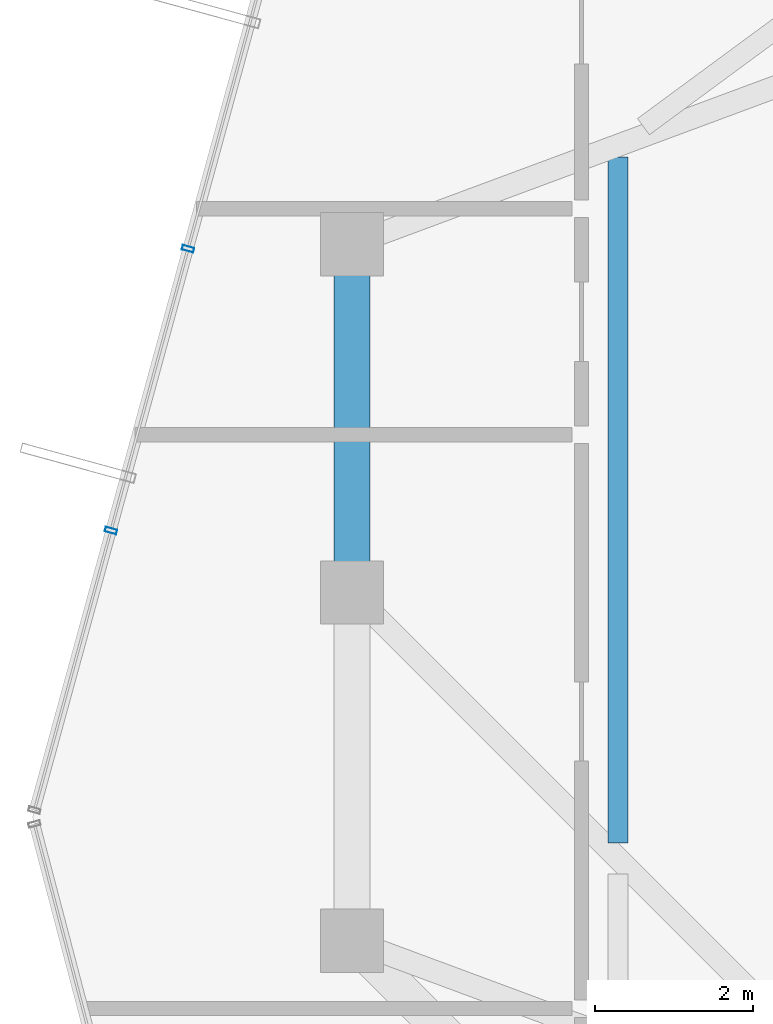
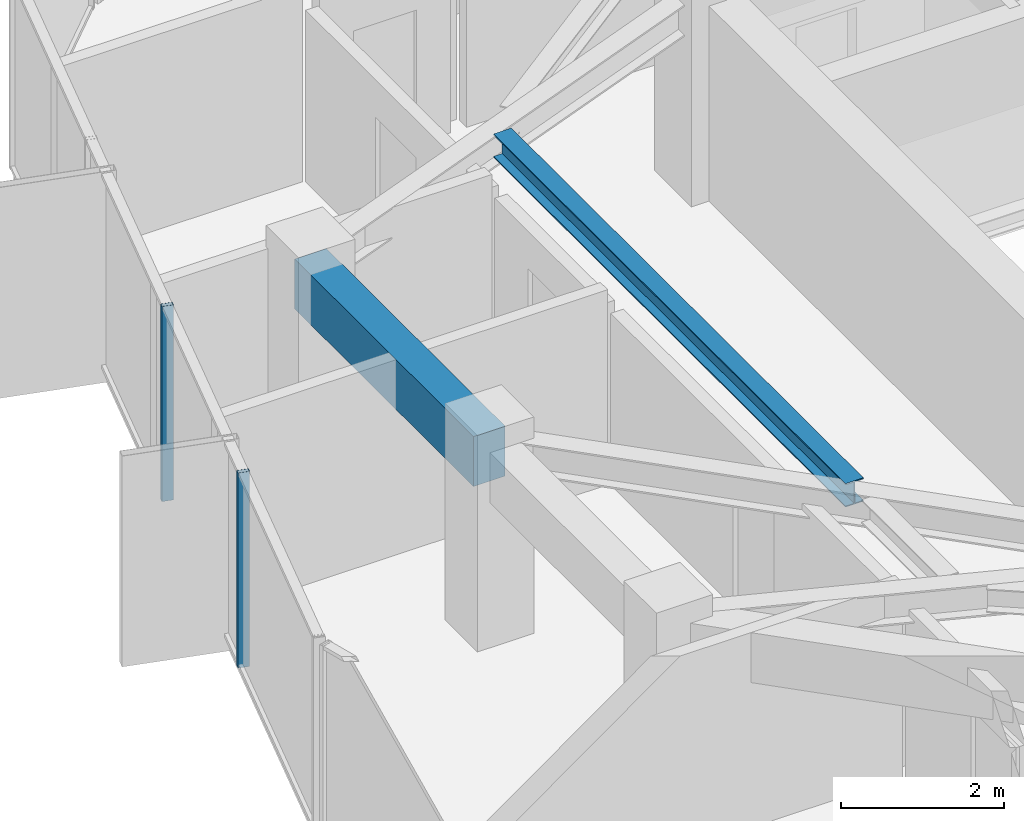
# One storey, part 12 of 29: 2 beams, 2 members, 1 element without a shape of its own.
"""IFC4 building model written with IfcOpenShell, lengths in metres."""

from ifc_helpers import new_model, si_unit, direction, frame, origin, origin_2d, place, context, subcontext, project, spatial, rectangle, hollow_rectangle, i_section, extrude, source, transform, mapped, material, layer, layer_set, material_profile, profile_set, type_object, element, aggregate, save


model = new_model("IFC4")

# Units and contexts
model_context = context("Model", 3, precision=1e-05, world=origin(), true_north=direction((0.0, 1.0)))
body_context = subcontext(model_context, "Body", "Model", "MODEL_VIEW")
ifc_project = project(units=[si_unit("LENGTHUNIT", "METRE"), si_unit("AREAUNIT", "SQUARE_METRE"), si_unit("VOLUMEUNIT", "CUBIC_METRE"), si_unit("PLANEANGLEUNIT", "RADIAN"), si_unit("MASSUNIT", "GRAM", prefix="KILO")], contexts=[model_context])

# Site, building, storey
site_placement = place(None, origin())
site = spatial("IfcSite", under=ifc_project, at=site_placement, CompositionType="ELEMENT")
building_placement = place(site_placement, origin())
building = spatial("IfcBuilding", under=site, at=building_placement, Name="Veraguas Prism Commons", CompositionType="ELEMENT")
storey_placement = place(building_placement, frame((0.0, 0.0, 261.0)))
storey = spatial("IfcBuildingStorey", under=building, at=storey_placement, Name="L74", CompositionType="ELEMENT", Elevation=261.0)

# Beams
ifc_material_1 = material(Name="Concrete C50/60", Category="concrete")
ifc_material_profile_1 = material_profile(ifc_material_1, rectangle(XDim=0.449951171875, YDim=0.75, at=origin_2d()), Name="RC450X750")
ifc_profile_set_1 = profile_set([ifc_material_profile_1], Name="Concrete C50/60")
beam_type_1 = type_object("IfcBeamType", Name="Perimeter Spandrel Upper RC 450x750", PredefinedType="SPANDREL", material=ifc_profile_set_1)
beam_1_placement = place(storey_placement, frame((10.199951171875, 28.39990234375, 2.554931640625), z_axis=(0.0, -1.0, 0.0), x_axis=(1.0, 0.0, 0.0)))
element("IfcBeam", 1, at=beam_1_placement, inside=storey, type_object=beam_type_1, Name="Perimeter Spandrel Beam L74-SP07", PredefinedType="SPANDREL", context=body_context, shape_type="SweptSolid", body=[
    extrude(rectangle(XDim=0.449951171875, YDim=0.75, at=origin_2d()), origin(), (0.0, 0.0, 1.0), 4.39990234375),
])
ifc_material_2 = material(Name="Steel ASTM A992 Grade 50", Category="steel")
ifc_material_profile_2 = material_profile(ifc_material_2, i_section(OverallWidth=0.25390625, OverallDepth=0.35302734375, WebThickness=0.009521484375, FlangeThickness=0.016357421875, at=origin_2d()), Name="W360X91")
ifc_profile_set_2 = profile_set([ifc_material_profile_2], Name="Steel ASTM A992 Grade 50")
beam_type_2 = type_object("IfcBeamType", Name="Upper Floor Joist W360x91", PredefinedType="JOIST", material=ifc_profile_set_2)
beam_2_placement = place(storey_placement, frame((13.56005859375, 29.499267578125, 2.75341796875), z_axis=(0.0, -1.0, 0.0), x_axis=(1.0, 0.0, 0.0)))
element("IfcBeam", 2, at=beam_2_placement, inside=storey, type_object=beam_type_2, Name="Composite Floor Joist L74-JS07", PredefinedType="JOIST", context=body_context, shape_type="SweptSolid", body=[
    extrude(i_section(OverallWidth=0.25390625, OverallDepth=0.35302734375, WebThickness=0.009521484375, FlangeThickness=0.016357421875, at=origin_2d()), origin(), (0.0, 0.0, 1.0), 8.661865234375),
])

# Curtain wall, members
ifc_material_3 = material(Name="Anodised aluminium EN AW-6063 T6", Category="aluminium")
ifc_layer = layer(ifc_material_3, 0.14990234375, Name="Unitised Flush Curtain Wall Zone 4", Category="aluminium")
ifc_layer_set = layer_set([ifc_layer], Name="Anodised aluminium EN AW-6063 T6")
curtain_wall_type = type_object("IfcCurtainWallType", Name="Unitised Flush Curtain Wall Zone 4", PredefinedType="NOTDEFINED", material=ifc_layer_set)
curtain_wall_placement = place(storey_placement, origin())
curtain_wall = element("IfcCurtainWall", 3, at=curtain_wall_placement, inside=storey, type_object=curtain_wall_type, Name="Tower Facade Curtain Wall L74-F3", PredefinedType="NOTDEFINED")
ifc_material_profile_3 = material_profile(ifc_material_3, hollow_rectangle(XDim=0.06005859375, YDim=0.14990234375, WallThickness=0.0029296875, at=origin_2d()), Name="AL60X150X3")
ifc_profile_set_3 = profile_set([ifc_material_profile_3], Name="Anodised aluminium EN AW-6063 T6")
member_type = type_object("IfcMemberType", Name="Curtain Wall Mullion Upper AL 60x150x3", PredefinedType="MULLION", material=ifc_profile_set_3)
shared_shape = source(origin(), body_context, "Body", "SweptSolid", [
    extrude(hollow_rectangle(XDim=0.06005859375, YDim=0.14990234375, WallThickness=0.0029296875, at=origin_2d()), origin(), (0.0, 0.0, 1.0), 2.929931640625),
])
member_1_placement = place(storey_placement, frame((8.128662109375, 28.341796875, 0.0), z_axis=(0.0, 0.0, 1.0), x_axis=(-0.263883150773, -0.964554655133, 0.0)))
member_1 = element("IfcMember", 4, at=member_1_placement, type_object=member_type, Name="CW-Z4 Mullion 3", PredefinedType="MULLION", context=body_context, shape_type="MappedRepresentation", body=[
    mapped(shared_shape, transform((0.0, 0.0, 0.0), scale=1.0)),
])
member_2_placement = place(storey_placement, frame((7.154541015625, 24.78125, 0.0), z_axis=(0.0, 0.0, 1.0), x_axis=(-0.263883150773, -0.964554655133, 0.0)))
member_2 = element("IfcMember", 5, at=member_2_placement, type_object=member_type, Name="CW-Z4 Mullion 4", PredefinedType="MULLION", context=body_context, shape_type="MappedRepresentation", body=[
    mapped(shared_shape, transform((0.0, 0.0, 0.0), scale=1.0)),
])
aggregate(curtain_wall, [member_1, member_2])

save(model, "model.ifc")
